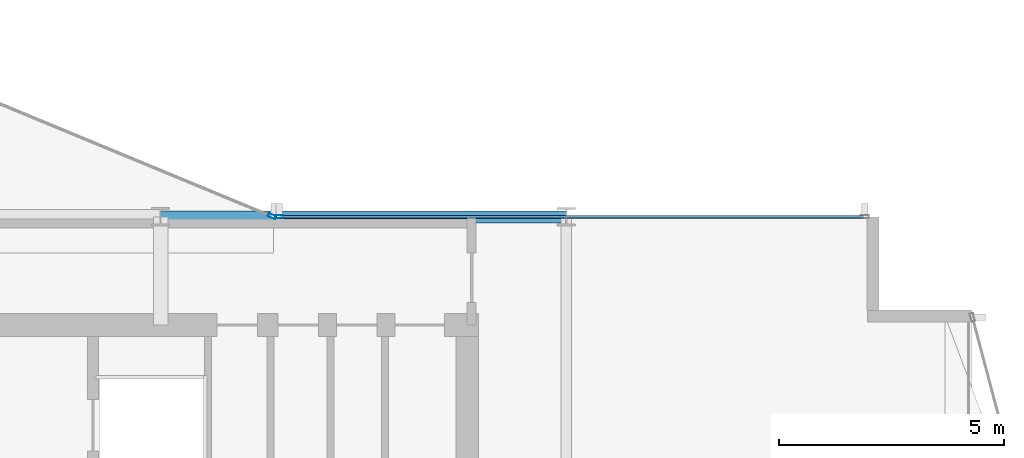
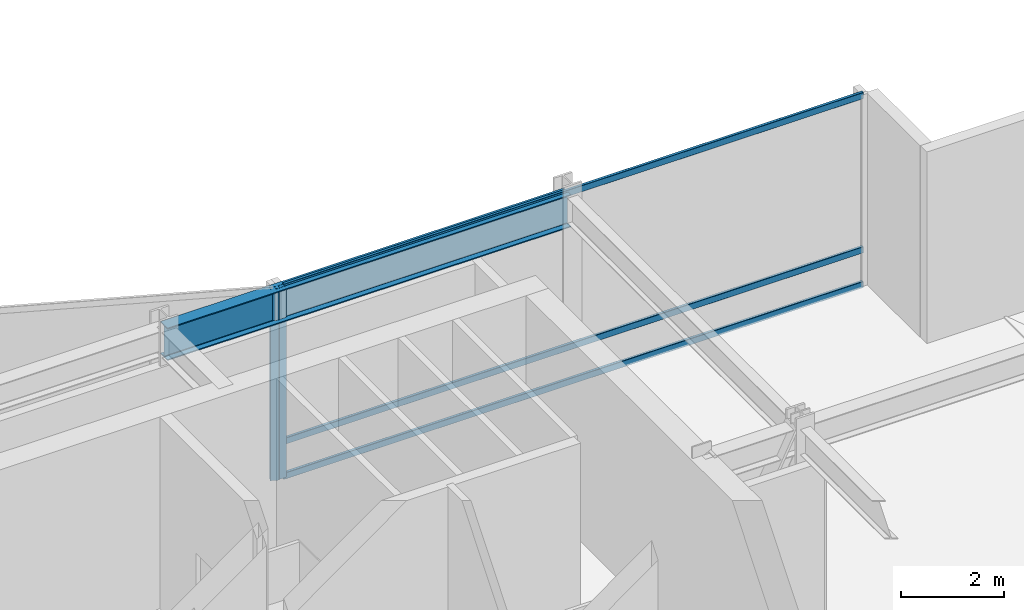
# One storey, part 13 of 30: 5 members, 1 beam, 2 elements without a shape of their own.
"""IFC4 building model written with IfcOpenShell, lengths in metres."""

from ifc_helpers import new_model, si_unit, direction, frame, origin, origin_2d, place, context, subcontext, project, spatial, hollow_rectangle, i_section, extrude, material, layer, layer_set, material_profile, profile_set, type_object, element, aggregate, save


model = new_model("IFC4")

# Units and contexts
model_context = context("Model", 3, precision=1e-05, world=origin(), true_north=direction((0.0, 1.0)))
body_context = subcontext(model_context, "Body", "Model", "MODEL_VIEW")
ifc_project = project(units=[si_unit("LENGTHUNIT", "METRE"), si_unit("AREAUNIT", "SQUARE_METRE"), si_unit("VOLUMEUNIT", "CUBIC_METRE"), si_unit("PLANEANGLEUNIT", "RADIAN"), si_unit("MASSUNIT", "GRAM", prefix="KILO")], contexts=[model_context])

# Site, building, storey
site_placement = place(None, origin())
site = spatial("IfcSite", under=ifc_project, at=site_placement, CompositionType="ELEMENT")
building_placement = place(site_placement, origin())
building = spatial("IfcBuilding", under=site, at=building_placement, Name="Solvaryn Broadcast Tower", CompositionType="ELEMENT")
storey_placement = place(building_placement, frame((0.0, 0.0, 196.39990234375)))
storey = spatial("IfcBuildingStorey", under=building, at=storey_placement, Name="L49", CompositionType="ELEMENT", Elevation=196.39990234375)

# Beam
ifc_material_1 = material(Name="Steel ASTM A992 Grade 50", Category="steel")
ifc_material_profile_1 = material_profile(ifc_material_1, i_section(OverallWidth=0.26708984375, OverallDepth=0.76611328125, WebThickness=0.014892578125, FlangeThickness=0.023681640625, FilletRadius=0.01806640625, at=origin_2d()))
ifc_profile_set_1 = profile_set([ifc_material_profile_1], Name="Steel ASTM A992 Grade 50")
beam_type = type_object("IfcBeamType", Name="BM-SP2-W30X124", PredefinedType="USERDEFINED", material=ifc_profile_set_1)
beam_placement = place(storey_placement, frame((36.0, 27.0, 4.13720703125), z_axis=(1.0, 0.0, 0.0), x_axis=(0.0, 1.0, 0.0)))
element("IfcBeam", 1, at=beam_placement, inside=storey, type_object=beam_type, Name="L49 Spandrel Beam X (36-45 @ Y=27)", ObjectType="SPANDREL", PredefinedType="USERDEFINED", context=body_context, shape_type="SweptSolid", body=[
    extrude(i_section(OverallWidth=0.26708984375, OverallDepth=0.76611328125, WebThickness=0.014892578125, FlangeThickness=0.023681640625, FilletRadius=0.01806640625, at=origin_2d()), origin(), (0.0, 0.0, 1.0), 9.0),
])

# Curtain wall, member
ifc_material_2 = material(Name="Aluminium and Terracotta Unitised Curtain Wall", Category="masonry")
ifc_layer = layer(ifc_material_2, 0.199951171875)
ifc_layer_set = layer_set([ifc_layer], Name="CW-SYS2-LOWMID")
curtain_wall_type = type_object("IfcCurtainWallType", Name="CW-SYS2-LOWMID", PredefinedType="NOTDEFINED", material=ifc_layer_set)
curtain_wall_1_placement = place(storey_placement, origin())
curtain_wall_1 = element("IfcCurtainWall", 2, at=curtain_wall_1_placement, inside=storey, type_object=curtain_wall_type, Name="L49 Curtain Wall CN1", PredefinedType="NOTDEFINED")
ifc_material_3 = material(Name="Anodised Aluminium 6063-T6", Category="aluminium")
ifc_material_profile_2 = material_profile(ifc_material_3, hollow_rectangle(XDim=0.074951171875, YDim=0.179931640625, WallThickness=0.00390625, InnerFilletRadius=0.00390625, OuterFilletRadius=0.008056640625, at=origin_2d()))
ifc_profile_set_2 = profile_set([ifc_material_profile_2], Name="Anodised Aluminium 6063-T6")
member_type_1 = type_object("IfcMemberType", Name="CW-MUL-180", PredefinedType="MULLION", material=ifc_profile_set_2)
member_1_placement = place(storey_placement, frame((38.47216796875, 27.011474609375, 0.0), z_axis=(0.0, 0.0, 1.0), x_axis=(-0.382646127145, -0.923894983957, 0.0)))
member_1 = element("IfcMember", 3, at=member_1_placement, type_object=member_type_1, Name="CWS2 mullion 1", PredefinedType="MULLION", context=body_context, shape_type="SweptSolid", body=[
    extrude(hollow_rectangle(XDim=0.074951171875, YDim=0.179931640625, WallThickness=0.00390625, InnerFilletRadius=0.00390625, OuterFilletRadius=0.008056640625, at=origin_2d()), origin(), (0.0, 0.0, 1.0), 4.52001953125),
])
aggregate(curtain_wall_1, [member_1])

# Curtain wall, members
curtain_wall_2_placement = place(storey_placement, origin())
curtain_wall_2 = element("IfcCurtainWall", 4, at=curtain_wall_2_placement, inside=storey, type_object=curtain_wall_type, Name="L49 Curtain Wall IH", PredefinedType="NOTDEFINED")
member_2_placement = place(storey_placement, frame((38.6298828125, 27.0, 0.0), z_axis=(0.0, 0.0, 1.0), x_axis=(0.0, 1.0, 0.0)))
member_2 = element("IfcMember", 5, at=member_2_placement, type_object=member_type_1, Name="CWS2 mullion 1", PredefinedType="MULLION", context=body_context, shape_type="SweptSolid", body=[
    extrude(hollow_rectangle(XDim=0.074951171875, YDim=0.179931640625, WallThickness=0.00390625, InnerFilletRadius=0.00390625, OuterFilletRadius=0.008056640625, at=origin_2d()), origin(), (0.0, 0.0, 1.0), 4.52001953125),
])
ifc_material_4 = material(Name="Anodised Aluminium 6063-T6", Category="aluminium")
ifc_material_profile_3 = material_profile(ifc_material_4, hollow_rectangle(XDim=0.06494140625, YDim=0.14990234375, WallThickness=0.00390625, InnerFilletRadius=0.00390625, OuterFilletRadius=0.008056640625, at=origin_2d()))
ifc_profile_set_3 = profile_set([ifc_material_profile_3], Name="Anodised Aluminium 6063-T6")
member_type_2 = type_object("IfcMemberType", Name="CW-TRN-150", PredefinedType="USERDEFINED", material=ifc_profile_set_3)
member_3_placement = place(storey_placement, frame((38.659912109375, 27.0, 0.030029296875), z_axis=(1.0, 0.0, 0.0), x_axis=(0.0, 1.0, 0.0)))
member_3 = element("IfcMember", 6, at=member_3_placement, type_object=member_type_2, Name="CWS2 transom 1.1", ObjectType="TRANSOM", PredefinedType="USERDEFINED", context=body_context, shape_type="SweptSolid", body=[
    extrude(hollow_rectangle(XDim=0.06494140625, YDim=0.14990234375, WallThickness=0.00390625, InnerFilletRadius=0.00390625, OuterFilletRadius=0.008056640625, at=origin_2d()), origin(), (0.0, 0.0, 1.0), 12.93017578125),
])
member_4_placement = place(storey_placement, frame((38.659912109375, 27.0, 0.85009765625), z_axis=(1.0, 0.0, 0.0), x_axis=(0.0, 1.0, 0.0)))
member_4 = element("IfcMember", 7, at=member_4_placement, type_object=member_type_2, Name="CWS2 transom 1.2", ObjectType="TRANSOM", PredefinedType="USERDEFINED", context=body_context, shape_type="SweptSolid", body=[
    extrude(hollow_rectangle(XDim=0.06494140625, YDim=0.14990234375, WallThickness=0.00390625, InnerFilletRadius=0.00390625, OuterFilletRadius=0.008056640625, at=origin_2d()), origin(), (0.0, 0.0, 1.0), 12.93017578125),
])
member_5_placement = place(storey_placement, frame((38.659912109375, 27.0, 4.489990234375), z_axis=(1.0, 0.0, 0.0), x_axis=(0.0, 1.0, 0.0)))
member_5 = element("IfcMember", 8, at=member_5_placement, type_object=member_type_2, Name="CWS2 transom 1.3", ObjectType="TRANSOM", PredefinedType="USERDEFINED", context=body_context, shape_type="SweptSolid", body=[
    extrude(hollow_rectangle(XDim=0.06494140625, YDim=0.14990234375, WallThickness=0.00390625, InnerFilletRadius=0.00390625, OuterFilletRadius=0.008056640625, at=origin_2d()), origin(), (0.0, 0.0, 1.0), 12.93017578125),
])
aggregate(curtain_wall_2, [member_2, member_3, member_4, member_5])

save(model, "model.ifc")
